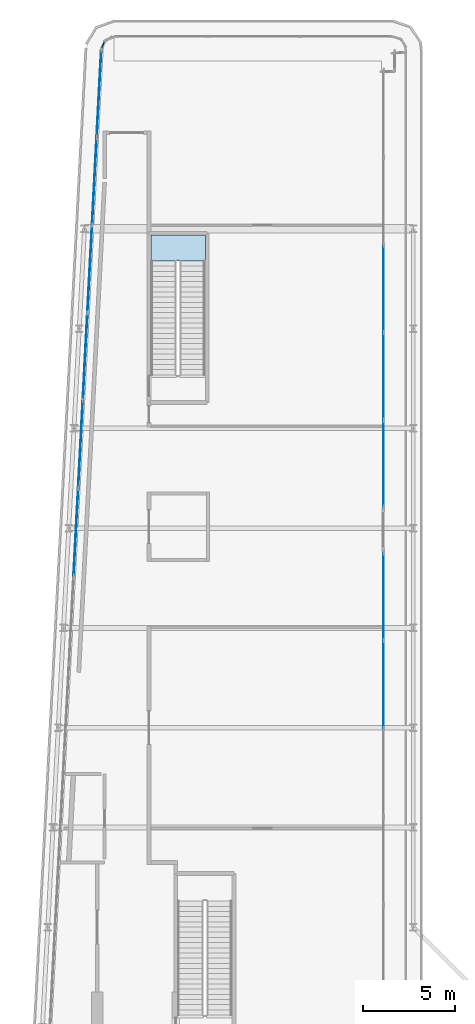
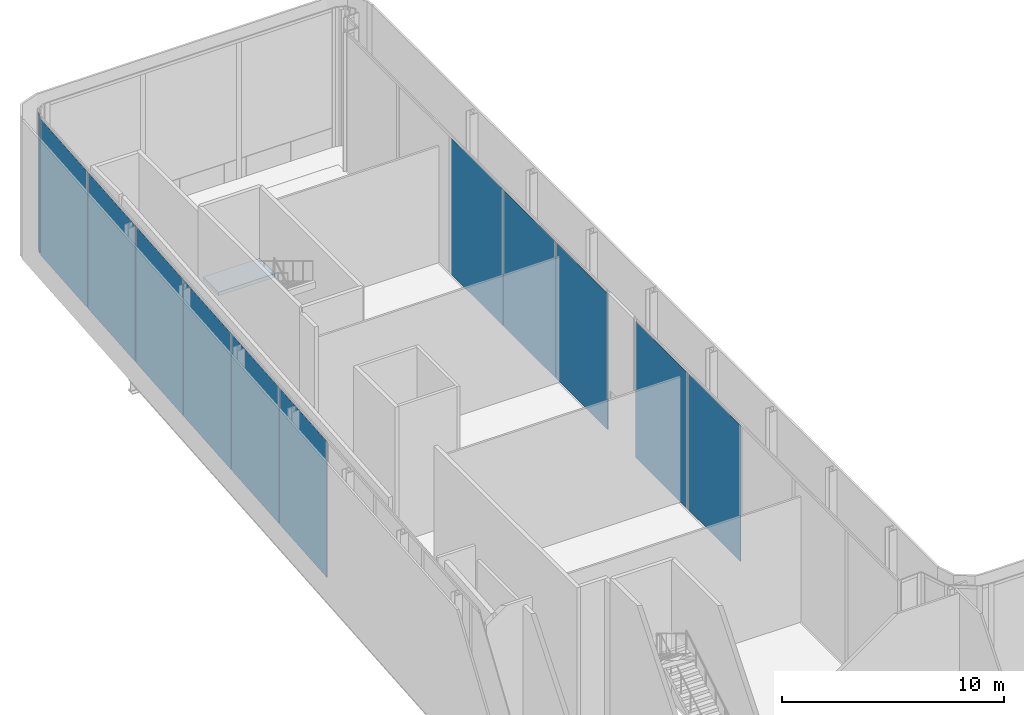
# One storey, part 18 of 28: 12 plates, 1 slab, 5 elements without a shape of their own.
"""IFC4 building model written with IfcOpenShell, lengths in metres."""

import ifcopenshell
import ifcopenshell.guid

model = None  # the IFC model being written
_history = None  # IfcOwnerHistory: only IFC2X3 demands one
_inside = {}  # id of a spatial element -> (the spatial element, [elements in it])
_under = {}  # id of a project, library or spatial element -> (it, [spatial elements below it])
_declared = {}  # id of a project -> (the project, [libraries it declares])
_typed = {}  # id of a type object -> (the type object, [elements of that type])
_made_of = {}  # id of a material, layer set ... -> (it, [elements and type objects made of it])


def new_model(schema):
    """Start an empty IFC model of exactly this schema.

    Asked for "IFC4X3", IfcOpenShell would pick the latest addendum, in which some entities
    have other attributes; the version numbers below select the first issue.
    IFC2X3 requires an IfcOwnerHistory on every rooted entity: one is made here for all.
    """
    global model, _history
    if schema == "IFC4X3":
        model = ifcopenshell.file(schema_version=(4, 3, 0, 0))
    else:
        model = ifcopenshell.file(schema=schema)
    _inside.clear()
    _under.clear()
    _declared.clear()
    _typed.clear()
    _made_of.clear()
    _history = None
    if model.schema == "IFC2X3":
        org = make("IfcOrganization", Name="unknown")
        user = make(
            "IfcPersonAndOrganization",
            ThePerson=make("IfcPerson", FamilyName="unknown"),
            TheOrganization=org,
        )
        app = make(
            "IfcApplication",
            ApplicationDeveloper=org,
            Version="unknown",
            ApplicationFullName="unknown",
            ApplicationIdentifier="unknown",
        )
        _history = make(
            "IfcOwnerHistory",
            OwningUser=user,
            OwningApplication=app,
            ChangeAction="ADDED",
            CreationDate=0,
        )
    return model


def make(cls, **values):
    """One entity of the class cls with the attributes given. An attribute that is None is left unset."""
    return model.create_entity(
        cls, **{name: value for name, value in values.items() if value is not None}
    )


def rooted(cls, **values):
    """An entity with a GlobalId (a new one), such as an element, a storey or a relation."""
    return make(cls, GlobalId=ifcopenshell.guid.new(), OwnerHistory=_history, **values)


def si_unit(unit_type, name, prefix=None):
    """IfcSIUnit, for example si_unit("LENGTHUNIT", "METRE", prefix="MILLI")."""
    return make("IfcSIUnit", UnitType=unit_type, Prefix=prefix, Name=name)


def assignment(units):
    """IfcUnitAssignment: the units of a project."""
    return None if units is None else make("IfcUnitAssignment", Units=units)


def point(xyz):
    """IfcCartesianPoint."""
    return None if xyz is None else make("IfcCartesianPoint", Coordinates=xyz)


def direction(xyz):
    """IfcDirection."""
    return None if xyz is None else make("IfcDirection", DirectionRatios=xyz)


def frame(location, z_axis=None, x_axis=None):
    """IfcAxis2Placement3D, a coordinate frame: its origin and axes. An axis left out is left unset."""
    return make(
        "IfcAxis2Placement3D",
        Location=point(location),
        Axis=direction(z_axis),
        RefDirection=direction(x_axis),
    )


def frame_2d(location, x_axis=None):
    """IfcAxis2Placement2D, a coordinate frame in the plane: its origin and x axis."""
    return make(
        "IfcAxis2Placement2D", Location=point(location), RefDirection=direction(x_axis)
    )


def origin():
    """The frame at (0, 0, 0) with its axes left unset."""
    return frame((0.0, 0.0, 0.0))


def origin_2d():
    """The frame at (0, 0) in the plane with its x axis left unset."""
    return frame_2d((0.0, 0.0))


def place(relative_to, where):
    """IfcLocalPlacement: puts the frame where relative to a parent placement (None: the world)."""
    return make(
        "IfcLocalPlacement", PlacementRelTo=relative_to, RelativePlacement=where
    )


def context(
    kind, dimensions, precision=None, world=None, true_north=None, identifier=None
):
    """IfcGeometricRepresentationContext, for example the 3D "Model" context."""
    return make(
        "IfcGeometricRepresentationContext",
        ContextIdentifier=identifier,
        ContextType=kind,
        CoordinateSpaceDimension=dimensions,
        Precision=precision,
        WorldCoordinateSystem=world,
        TrueNorth=true_north,
    )


def subcontext(parent, identifier, kind, view, scale=None):
    """IfcGeometricRepresentationSubContext, for example "Body" below "Model"."""
    return make(
        "IfcGeometricRepresentationSubContext",
        ContextIdentifier=identifier,
        ContextType=kind,
        ParentContext=parent,
        TargetScale=scale,
        TargetView=view,
    )


def project(units=None, contexts=None):
    """IfcProject with its units and contexts."""
    return rooted(
        "IfcProject",
        Name="project",
        RepresentationContexts=contexts,
        UnitsInContext=assignment(units),
    )


def spatial(cls, under=None, at=None, **own):
    """A site, building, storey or space (cls), placed at a placement, below another one or the project."""
    s = rooted(cls, ObjectPlacement=at, **own)
    if under is not None:
        _under.setdefault(under.id(), (under, []))[1].append(s)
    return s


def polyline(points):
    """IfcPolyline through the points."""
    return make("IfcPolyline", Points=[point(p) for p in points])


def profile(cls, at=None, kind="AREA", **sizes):
    """A parametric profile (cls). Its sizes go by their IFC names, for example OverallWidth=200.0."""
    return make(cls, ProfileType=kind, Position=at, **sizes)


def rectangle(**sizes):
    """IfcRectangleProfileDef."""
    return profile("IfcRectangleProfileDef", **sizes)


def outline(outer, holes=None, kind="AREA"):
    """IfcArbitraryClosedProfileDef: a profile drawn as a closed curve; with holes, ...WithVoids."""
    if holes is None:
        return make("IfcArbitraryClosedProfileDef", ProfileType=kind, OuterCurve=outer)
    return make(
        "IfcArbitraryProfileDefWithVoids",
        ProfileType=kind,
        OuterCurve=outer,
        InnerCurves=holes,
    )


def extrude(swept, where, along, depth):
    """IfcExtrudedAreaSolid: the profile swept, set in the frame where, extruded along a direction by depth."""
    return make(
        "IfcExtrudedAreaSolid",
        SweptArea=swept,
        Position=where,
        ExtrudedDirection=direction(along),
        Depth=depth,
    )


def shape(context_of_items, identifier, shape_type, items):
    """IfcShapeRepresentation: the items that make up one representation, for example the "Body"."""
    return make(
        "IfcShapeRepresentation",
        ContextOfItems=context_of_items,
        RepresentationIdentifier=identifier,
        RepresentationType=shape_type,
        Items=items,
    )


def material(Name=None, Category=None):
    """IfcMaterial."""
    return make("IfcMaterial", Name=Name, Category=Category)


def layer(
    of_material, thickness, ventilated=None, Name=None, Category=None, Priority=None
):
    """IfcMaterialLayer: one layer of a wall or slab, of a material (None: an air gap)."""
    return make(
        "IfcMaterialLayer",
        Material=of_material,
        LayerThickness=thickness,
        IsVentilated=ventilated,
        Name=Name,
        Category=Category,
        Priority=Priority,
    )


def layer_set(layers, Name=None):
    """IfcMaterialLayerSet."""
    return make("IfcMaterialLayerSet", MaterialLayers=layers, LayerSetName=Name)


def made_of(thing, what):
    """Note that an element or type object is made of a material, layer set ...; save() writes the relation."""
    if what is not None:
        _made_of.setdefault(what.id(), (what, []))[1].append(thing)
    return thing


def type_object(cls, material=None, **own):
    """A type object (cls), such as IfcWallType, which elements share."""
    return made_of(rooted(cls, **own), material)


def element(
    cls,
    number,
    at=None,
    inside=None,
    cuts=None,
    type_object=None,
    material=None,
    context=None,
    identifier="Body",
    shape_type=None,
    held_by="IfcProductDefinitionShape",
    body=None,
    shapes=None,
    **own,
):
    """One element of the class cls, such as IfcWall. Its Tag is "e" and its number.

    at: its placement. inside: the storey or other place that contains it. cuts: it is an
    opening in that element (IfcRelVoidsElement). A single representation is given by context,
    identifier, shape_type and body (its items); several are given by shapes. held_by: the class
    of the entity that holds the representations. save() writes the other relations.
    """
    e = rooted(cls, Tag="e%d" % number, ObjectPlacement=at, **own)
    if body is not None:
        shapes = [shape(context, identifier, shape_type, body)]
    if shapes is not None:
        e.Representation = make(held_by, Representations=shapes)
    if inside is not None:
        _inside.setdefault(inside.id(), (inside, []))[1].append(e)
    if cuts is not None:
        rooted(
            "IfcRelVoidsElement", RelatingBuildingElement=cuts, RelatedOpeningElement=e
        )
    if type_object is not None:
        _typed.setdefault(type_object.id(), (type_object, []))[1].append(e)
    return made_of(e, material)


def aggregate(whole, parts):
    """IfcRelAggregates: a whole, such as a stair, and the parts it consists of."""
    return rooted("IfcRelAggregates", RelatingObject=whole, RelatedObjects=parts)


def save(model, path):
    """Write the relations noted so far, then the file.

    IfcRelAggregates (storeys below a building ...), IfcRelContainedInSpatialStructure (elements
    in a storey), IfcRelDefinesByType, IfcRelAssociatesMaterial and IfcRelDeclares: one each for
    every whole, place, type object, material and project.
    """
    for whole, parts in _under.values():
        aggregate(whole, parts)
    for where, things in _inside.values():
        rooted(
            "IfcRelContainedInSpatialStructure",
            RelatedElements=things,
            RelatingStructure=where,
        )
    for kind, things in _typed.values():
        rooted("IfcRelDefinesByType", RelatedObjects=things, RelatingType=kind)
    for what, things in _made_of.values():
        rooted("IfcRelAssociatesMaterial", RelatedObjects=things, RelatingMaterial=what)
    for by, libraries in _declared.values():
        rooted("IfcRelDeclares", RelatingContext=by, RelatedDefinitions=libraries)
    model.write(path)


model = new_model("IFC4")

# Units and contexts
model_context = context("Model", 3, precision=1e-05, world=origin(), true_north=direction((0.0, 1.0)))
body_context = subcontext(model_context, "Body", "Model", "MODEL_VIEW")
ifc_project = project(units=[si_unit("LENGTHUNIT", "METRE"), si_unit("AREAUNIT", "SQUARE_METRE"), si_unit("VOLUMEUNIT", "CUBIC_METRE"), si_unit("PLANEANGLEUNIT", "RADIAN"), si_unit("MASSUNIT", "GRAM", prefix="KILO")], contexts=[model_context])

# Site, building, storey
site_placement = place(None, origin())
site = spatial("IfcSite", under=ifc_project, at=site_placement, CompositionType="ELEMENT")
building_placement = place(site_placement, origin())
building = spatial("IfcBuilding", under=site, at=building_placement, Name="Kheshtan School and Residences Tower", CompositionType="ELEMENT")
storey_placement = place(building_placement, frame((0.0, 0.0, 325.39990234375)))
storey = spatial("IfcBuildingStorey", under=building, at=storey_placement, Name="L77", CompositionType="ELEMENT", Elevation=325.39990234375)

# Curtain wall, plates
ifc_material_1 = material(Name="Clear low-e glass in thermally broken aluminium frame", Category="aluminium")
ifc_layer_1 = layer(ifc_material_1, 0.25)
ifc_layer_set_1 = layer_set([ifc_layer_1], Name="Curtain wall CW-G")
curtain_wall_type_1 = type_object("IfcCurtainWallType", Name="Curtain wall CW-G", PredefinedType="NOTDEFINED", material=ifc_layer_set_1)
curtain_wall_1_placement = place(storey_placement, origin())
curtain_wall_1 = element("IfcCurtainWall", 1, at=curtain_wall_1_placement, inside=storey, type_object=curtain_wall_type_1, Name="Curtain wall CWG15", PredefinedType="NOTDEFINED")
ifc_layer_2 = layer(ifc_material_1, 0.0380859375)
ifc_layer_set_2 = layer_set([ifc_layer_2], Name="CW-G glass panel")
plate_type_1 = type_object("IfcPlateType", Name="CW-G glass panel", PredefinedType="CURTAIN_PANEL", material=ifc_layer_set_2)
plate_1_placement = place(storey_placement, frame((46.0, 85.550048828125, 0.0), z_axis=(0.0, 0.0, 1.0), x_axis=(0.0, -1.0, 0.0)))
plate_1 = element("IfcPlate", 2, at=plate_1_placement, type_object=plate_type_1, Name="CWG15 panel 3.1", PredefinedType="CURTAIN_PANEL", context=body_context, shape_type="SweptSolid", body=[
    extrude(rectangle(XDim=4.679931640625, YDim=0.0380859375, at=origin_2d()), origin(), (0.0, 0.0, 1.0), 7.489990234375),
])
plate_2_placement = place(storey_placement, frame((46.0, 80.81005859375, 0.0), z_axis=(0.0, 0.0, 1.0), x_axis=(0.0, -1.0, 0.0)))
plate_2 = element("IfcPlate", 3, at=plate_2_placement, type_object=plate_type_1, Name="CWG15 panel 4.1", PredefinedType="CURTAIN_PANEL", context=body_context, shape_type="SweptSolid", body=[
    extrude(rectangle(XDim=4.679931640625, YDim=0.0380859375, at=origin_2d()), origin(), (0.0, 0.0, 1.0), 7.489990234375),
])
plate_3_placement = place(storey_placement, frame((46.0, 76.0849609375, 0.0), z_axis=(0.0, 0.0, 1.0), x_axis=(0.0, -1.0, 0.0)))
plate_3 = element("IfcPlate", 4, at=plate_3_placement, type_object=plate_type_1, Name="CWG15 panel 5.1", PredefinedType="CURTAIN_PANEL", context=body_context, shape_type="SweptSolid", body=[
    extrude(rectangle(XDim=4.64990234375, YDim=0.0380859375, at=origin_2d()), origin(), (0.0, 0.0, 1.0), 7.489990234375),
])
aggregate(curtain_wall_1, [plate_1, plate_2, plate_3])

curtain_wall_2_placement = place(storey_placement, origin())
curtain_wall_2 = element("IfcCurtainWall", 5, at=curtain_wall_2_placement, inside=storey, type_object=curtain_wall_type_1, Name="Curtain wall CWG15a", PredefinedType="NOTDEFINED")
plate_4_placement = place(storey_placement, frame((46.0, 68.89794921875, 0.0), z_axis=(0.0, 0.0, 1.0), x_axis=(0.0, -1.0, 0.0)))
plate_4 = element("IfcPlate", 6, at=plate_4_placement, type_object=plate_type_1, Name="CWG15a panel 1.1", PredefinedType="CURTAIN_PANEL", context=body_context, shape_type="SweptSolid", body=[
    extrude(rectangle(XDim=4.68408203125, YDim=0.0380859375, at=origin_2d()), origin(), (0.0, 0.0, 1.0), 7.489990234375),
])
plate_5_placement = place(storey_placement, frame((46.0, 64.138916015625, 0.0), z_axis=(0.0, 0.0, 1.0), x_axis=(0.0, -1.0, 0.0)))
plate_5 = element("IfcPlate", 7, at=plate_5_placement, type_object=plate_type_1, Name="CWG15a panel 2.1", PredefinedType="CURTAIN_PANEL", context=body_context, shape_type="SweptSolid", body=[
    extrude(rectangle(XDim=4.714111328125, YDim=0.0380859375, at=origin_2d()), origin(), (0.0, 0.0, 1.0), 7.489990234375),
])
aggregate(curtain_wall_2, [plate_4, plate_5])

ifc_layer_3 = layer(ifc_material_1, 0.25)
ifc_layer_set_3 = layer_set([ifc_layer_3], Name="Curtain wall CW-K")
curtain_wall_type_2 = type_object("IfcCurtainWallType", Name="Curtain wall CW-K", PredefinedType="NOTDEFINED", material=ifc_layer_set_3)
curtain_wall_3_placement = place(storey_placement, origin())
curtain_wall_3 = element("IfcCurtainWall", 8, at=curtain_wall_3_placement, inside=storey, type_object=curtain_wall_type_2, Name="Curtain wall CWK6b", PredefinedType="NOTDEFINED")
ifc_layer_4 = layer(ifc_material_1, 0.0380859375)
ifc_layer_set_4 = layer_set([ifc_layer_4], Name="CW-K glass panel")
plate_type_2 = type_object("IfcPlateType", Name="CW-K glass panel", PredefinedType="CURTAIN_PANEL", material=ifc_layer_set_4)
plate_6_placement = place(storey_placement, frame((29.346435546875, 72.369384765625, 0.0), z_axis=(0.0, 0.0, 1.0), x_axis=(0.05256513568, 0.998617497599, 0.0)))
plate_6 = element("IfcPlate", 9, at=plate_6_placement, type_object=plate_type_2, Name="CWK6b panel 9.1", PredefinedType="CURTAIN_PANEL", context=body_context, shape_type="SweptSolid", body=[
    extrude(rectangle(XDim=4.69873046875, YDim=0.0380859375, at=origin_2d()), origin(), (0.0, 0.0, 1.0), 7.489990234375),
])
plate_7_placement = place(storey_placement, frame((29.596435546875, 77.12158203125, 0.0), z_axis=(0.0, 0.0, 1.0), x_axis=(0.05256513568, 0.998617497599, 0.0)))
plate_7 = element("IfcPlate", 10, at=plate_7_placement, type_object=plate_type_2, Name="CWK6b panel 10.1", PredefinedType="CURTAIN_PANEL", context=body_context, shape_type="SweptSolid", body=[
    extrude(rectangle(XDim=4.69873046875, YDim=0.0380859375, at=origin_2d()), origin(), (0.0, 0.0, 1.0), 7.489990234375),
])
plate_8_placement = place(storey_placement, frame((29.8466796875, 81.873779296875, 0.0), z_axis=(0.0, 0.0, 1.0), x_axis=(0.05256513568, 0.998617497599, 0.0)))
plate_8 = element("IfcPlate", 11, at=plate_8_placement, type_object=plate_type_2, Name="CWK6b panel 11.1", PredefinedType="CURTAIN_PANEL", context=body_context, shape_type="SweptSolid", body=[
    extrude(rectangle(XDim=4.69873046875, YDim=0.0380859375, at=origin_2d()), origin(), (0.0, 0.0, 1.0), 7.489990234375),
])
plate_9_placement = place(storey_placement, frame((30.0966796875, 86.6259765625, 0.0), z_axis=(0.0, 0.0, 1.0), x_axis=(0.05256513568, 0.998617497599, 0.0)))
plate_9 = element("IfcPlate", 12, at=plate_9_placement, type_object=plate_type_2, Name="CWK6b panel 12.1", PredefinedType="CURTAIN_PANEL", context=body_context, shape_type="SweptSolid", body=[
    extrude(rectangle(XDim=4.69873046875, YDim=0.0380859375, at=origin_2d()), origin(), (0.0, 0.0, 1.0), 7.489990234375),
])
plate_10_placement = place(storey_placement, frame((30.346923828125, 91.3779296875, 0.0), z_axis=(0.0, 0.0, 1.0), x_axis=(0.05256513568, 0.998617497599, 0.0)))
plate_10 = element("IfcPlate", 13, at=plate_10_placement, type_object=plate_type_2, Name="CWK6b panel 13.1", PredefinedType="CURTAIN_PANEL", context=body_context, shape_type="SweptSolid", body=[
    extrude(rectangle(XDim=4.69873046875, YDim=0.0380859375, at=origin_2d()), origin(), (0.0, 0.0, 1.0), 7.489990234375),
])
plate_11_placement = place(storey_placement, frame((30.59619140625, 96.115234375, 0.0), z_axis=(0.0, 0.0, 1.0), x_axis=(0.05256513568, 0.998617497599, 0.0)))
plate_11 = element("IfcPlate", 14, at=plate_11_placement, type_object=plate_type_2, Name="CWK6b panel 14.1", PredefinedType="CURTAIN_PANEL", context=body_context, shape_type="SweptSolid", body=[
    extrude(rectangle(XDim=4.668701171875, YDim=0.0380859375, at=origin_2d()), origin(), (0.0, 0.0, 1.0), 7.489990234375),
])
aggregate(curtain_wall_3, [plate_6, plate_7, plate_8, plate_9, plate_10, plate_11])

# Curtain wall, plate
curtain_wall_4_placement = place(storey_placement, origin())
curtain_wall_4 = element("IfcCurtainWall", 15, at=curtain_wall_4_placement, inside=storey, type_object=curtain_wall_type_2, Name="Curtain wall CWK7b", PredefinedType="NOTDEFINED")
plate_12_placement = place(storey_placement, frame((30.8095703125, 98.739501953125, 0.0), z_axis=(0.0, 0.0, 1.0), x_axis=(0.370993348125, 0.928635523576, 0.0)))
plate_12 = element("IfcPlate", 16, at=plate_12_placement, type_object=plate_type_2, Name="CWK7b panel 1.1", PredefinedType="CURTAIN_PANEL", context=body_context, shape_type="SweptSolid", body=[
    extrude(rectangle(XDim=0.31396484375, YDim=0.0380859375, at=origin_2d()), origin(), (0.0, 0.0, 1.0), 7.489990234375),
])
aggregate(curtain_wall_4, [plate_12])

# Stair, slab
ifc_material_2 = material(Name="Concrete C40/50", Category="concrete")
stair_type = type_object("IfcStairType", Name="Exit stair, half-turn", PredefinedType="HALF_TURN_STAIR", material=ifc_material_2)
stair_placement = place(storey_placement, origin())
stair = element("IfcStair", 17, at=stair_placement, inside=storey, type_object=stair_type, Name="L77 Protected Exit Stair ST3", PredefinedType="HALF_TURN_STAIR")
ifc_layer_5 = layer(ifc_material_2, 0.199951171875)
ifc_layer_set_5 = layer_set([ifc_layer_5], Name="Stair landing 200 Concrete C40/50")
slab_type = type_object("IfcSlabType", Name="Stair landing 200 Concrete C40/50", PredefinedType="LANDING", material=ifc_layer_set_5)
slab_placement = place(storey_placement, frame((0.0, 0.0, 3.7001953125)))
slab = element("IfcSlab", 18, at=slab_placement, type_object=slab_type, Name="ST3 landing 1", PredefinedType="LANDING", context=body_context, shape_type="SweptSolid", body=[
    extrude(outline(polyline([(36.35009765625, 87.06005859375), (36.35009765625, 88.4599609375), (33.39990234375, 88.4599609375), (33.39990234375, 87.06005859375), (36.35009765625, 87.06005859375)])), origin(), (0.0, 0.0, 1.0), 0.199951171875),
])
aggregate(stair, [slab])

save(model, "model.ifc")
